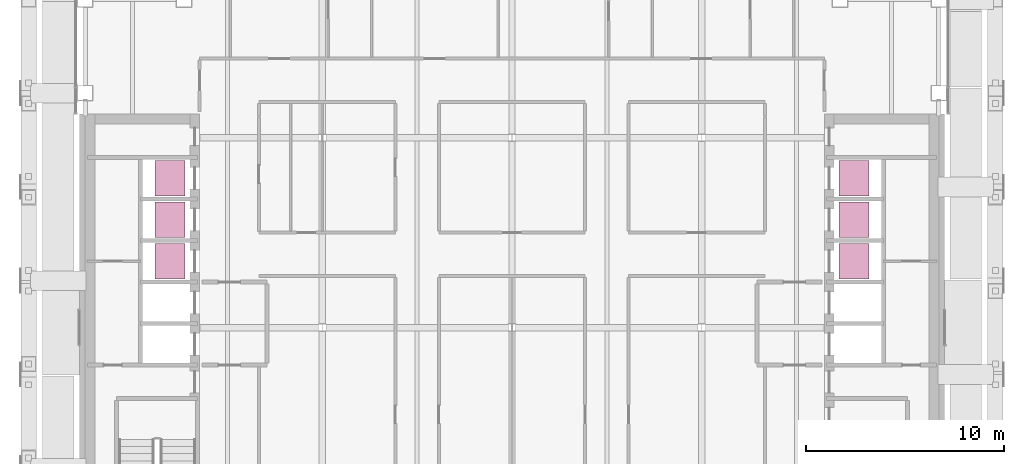
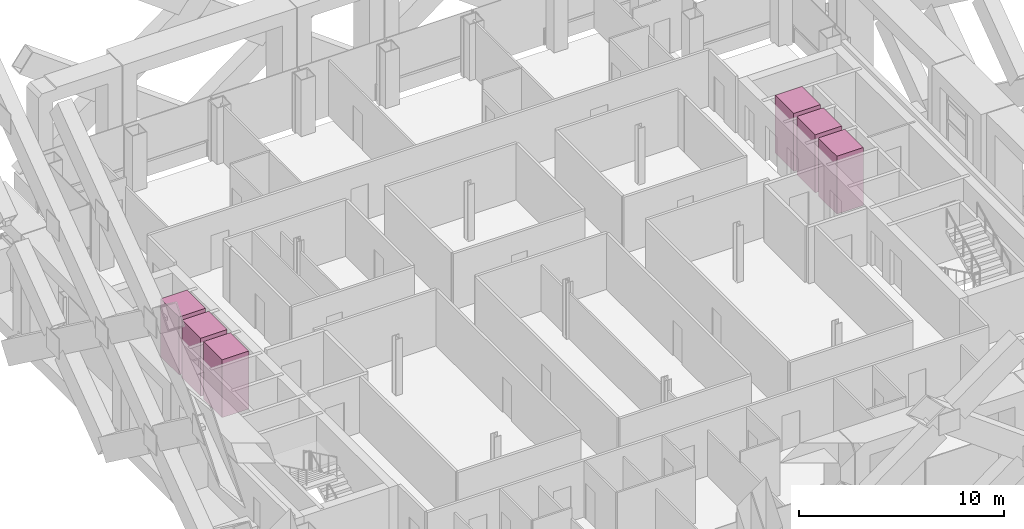
# One storey, part 25 of 25: 6 transport elements.
"""IFC4 building model written with IfcOpenShell, lengths in metres."""

from ifc_helpers import new_model, si_unit, direction, frame, origin, origin_2d, place, context, subcontext, project, spatial, rectangle, extrude, material, type_object, element, save


model = new_model("IFC4")

# Units and contexts
model_context = context("Model", 3, precision=1e-05, world=origin(), true_north=direction((0.0, 1.0)))
body_context = subcontext(model_context, "Body", "Model", "MODEL_VIEW")
ifc_project = project(units=[si_unit("LENGTHUNIT", "METRE"), si_unit("AREAUNIT", "SQUARE_METRE"), si_unit("VOLUMEUNIT", "CUBIC_METRE"), si_unit("PLANEANGLEUNIT", "RADIAN"), si_unit("MASSUNIT", "GRAM", prefix="KILO")], contexts=[model_context])

# Site, building, storey
site_placement = place(None, origin())
site = spatial("IfcSite", under=ifc_project, at=site_placement, CompositionType="ELEMENT")
building_placement = place(site_placement, origin())
building = spatial("IfcBuilding", under=site, at=building_placement, Name="Cobrizo Arcos Hotel Tower", CompositionType="ELEMENT")
storey_placement = place(building_placement, frame((0.0, 0.0, 148.0)))
storey = spatial("IfcBuildingStorey", under=building, at=storey_placement, Name="L37", CompositionType="ELEMENT", Elevation=148.0)

# Transport elements
ifc_material = material(Name="Stainless steel car", Category="steel")
transport_element_type = type_object("IfcTransportElementType", Name="Lift car High 1.8x1.5", PredefinedType="ELEVATOR", material=ifc_material)
for number, where, z_axis, x_axis, name in (
    (1, (-17.300048828125, 3.35009765625, 0.0), (0.0, 0.0, 1.0), (1.0, 0.0, 0.0), "High-rise passenger lift W1"),
    (2, (-17.300048828125, 5.449951171875, 0.0), (0.0, 0.0, 1.0), (1.0, 0.0, 0.0), "High-rise passenger lift W2"),
    (3, (-17.300048828125, 7.550048828125, 0.0), (0.0, 0.0, 1.0), (1.0, 0.0, 0.0), "High-rise passenger lift W3"),
    (4, (17.300048828125, 3.35009765625, 0.0), (0.0, 0.0, 1.0), (1.0, 0.0, 0.0), "High-rise passenger lift E1"),
    (5, (17.300048828125, 5.449951171875, 0.0), (0.0, 0.0, 1.0), (1.0, 0.0, 0.0), "High-rise passenger lift E2"),
    (6, (17.300048828125, 7.550048828125, 0.0), (0.0, 0.0, 1.0), (1.0, 0.0, 0.0), "High-rise passenger lift E3"),
):
    element("IfcTransportElement", number, at=place(storey_placement, frame(where, z_axis=z_axis, x_axis=x_axis)), inside=storey, type_object=transport_element_type, Name=name, PredefinedType="ELEVATOR", context=body_context, shape_type="SweptSolid", body=[
        extrude(rectangle(XDim=1.5, YDim=1.800048828125, at=origin_2d()), origin(), (0.0, 0.0, 1.0), 3.449951171875),
    ])

save(model, "model.ifc")
